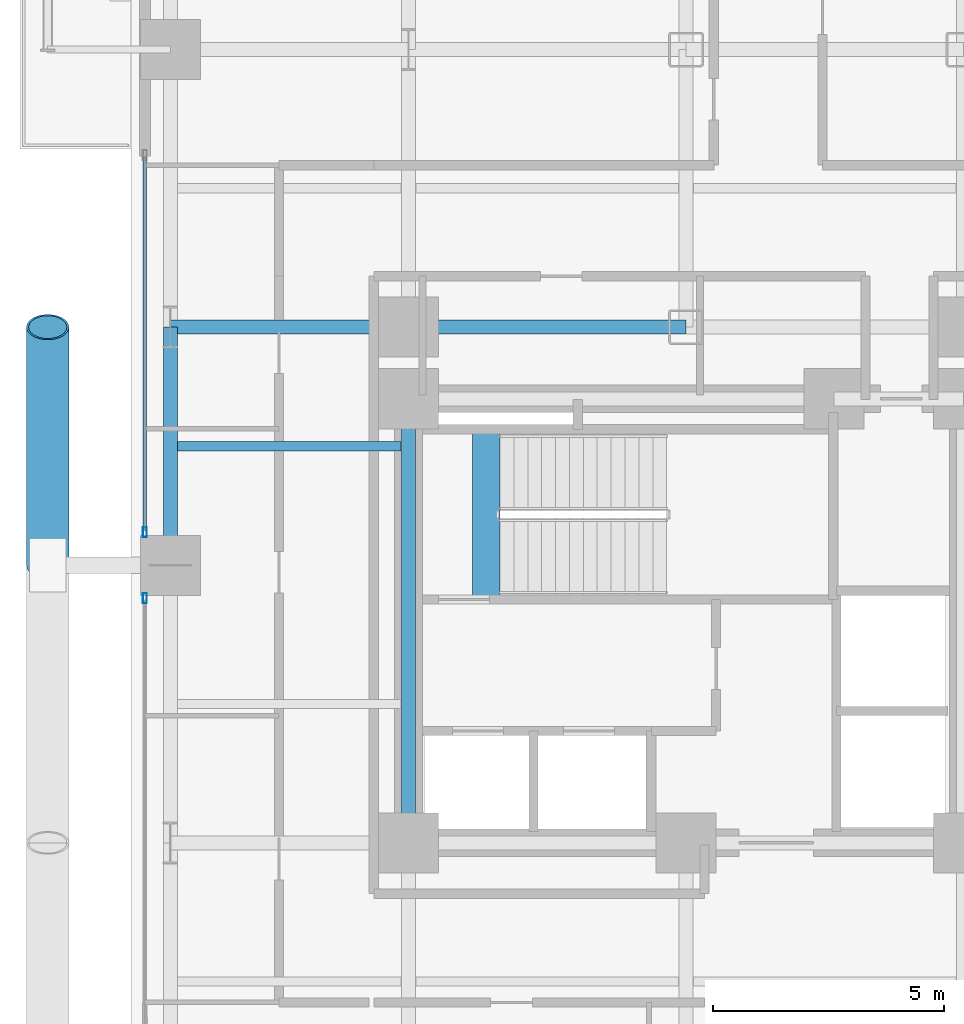
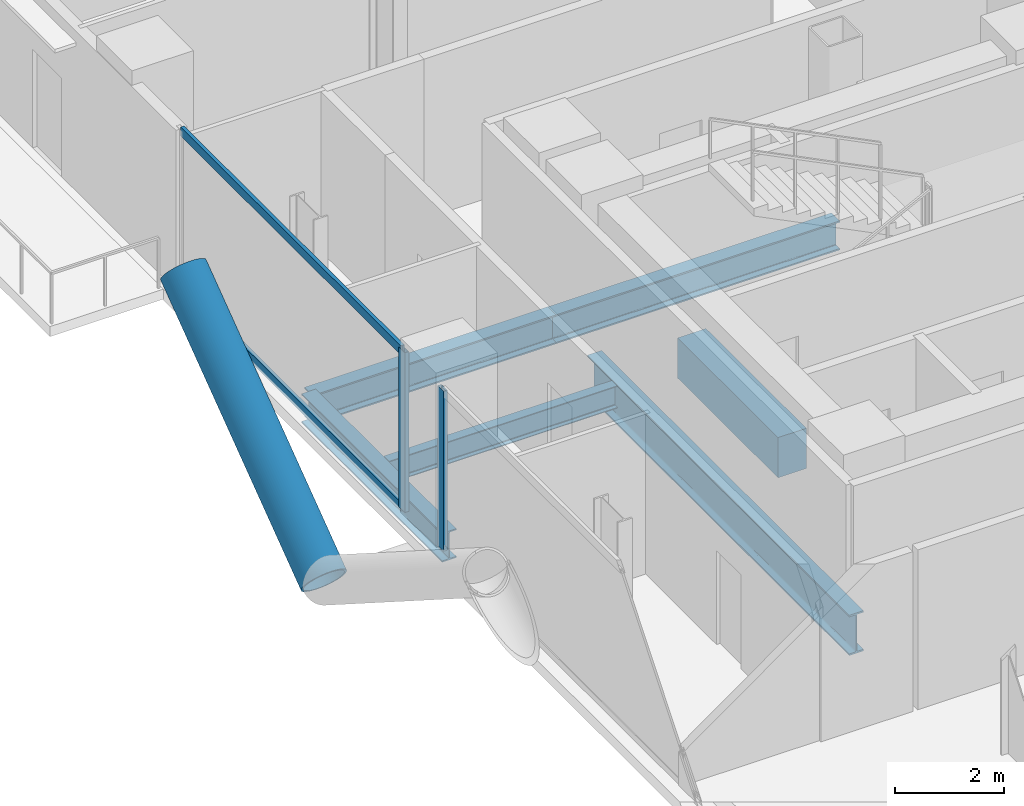
# One storey, part 5 of 27: 6 beams, 5 members, 2 elements without a shape of their own.
"""IFC4 building model written with IfcOpenShell, lengths in metres."""

from ifc_helpers import new_model, si_unit, direction, frame, origin, origin_2d, place, context, subcontext, project, spatial, rectangle, hollow_rectangle, hollow_circle, i_section, extrude, material, layer, layer_set, material_profile, profile_set, type_object, element, aggregate, save


model = new_model("IFC4")

# Units and contexts
model_context = context("Model", 3, precision=1e-05, world=origin(), true_north=direction((0.0, 1.0)))
body_context = subcontext(model_context, "Body", "Model", "MODEL_VIEW")
ifc_project = project(units=[si_unit("LENGTHUNIT", "METRE"), si_unit("AREAUNIT", "SQUARE_METRE"), si_unit("VOLUMEUNIT", "CUBIC_METRE"), si_unit("PLANEANGLEUNIT", "RADIAN"), si_unit("MASSUNIT", "GRAM", prefix="KILO"), si_unit("THERMODYNAMICTEMPERATUREUNIT", "KELVIN"), si_unit("POWERUNIT", "WATT")], contexts=[model_context])

# Site, building, storey
site_placement = place(None, origin())
site = spatial("IfcSite", under=ifc_project, at=site_placement, CompositionType="ELEMENT")
building_placement = place(site_placement, origin())
building = spatial("IfcBuilding", under=site, at=building_placement, Name="Svarakhadi Broadcast Tower", CompositionType="ELEMENT")
storey_placement = place(building_placement, frame((0.0, 0.0, 90.89990234375)))
storey = spatial("IfcBuildingStorey", under=building, at=storey_placement, Name="L21", CompositionType="ELEMENT", Elevation=90.89990234375)

# Beam
ifc_material_1 = material(Name="Steel S355J2 (IS 2062 E350C)", Category="steel")
ifc_material_profile_1 = material_profile(ifc_material_1, i_section(OverallWidth=0.199951171875, OverallDepth=0.5, WebThickness=0.01025390625, FlangeThickness=0.01611328125, FilletRadius=0.02099609375, at=origin_2d()), Name="NPB 500x200x91")
ifc_profile_set_1 = profile_set([ifc_material_profile_1], Name="Steel S355J2 (IS 2062 E350C)")
beam_type_1 = type_object("IfcBeamType", Name="Beam_NPB500", PredefinedType="BEAM", material=ifc_profile_set_1)
beam_1_placement = place(storey_placement, frame((1.010009765625, 26.574951171875, -0.5), z_axis=(1.0, 0.0, 0.0), x_axis=(0.0, 1.0, 0.0)))
element("IfcBeam", 1, at=beam_1_placement, inside=storey, type_object=beam_type_1, Name="L21 Secondary Composite Beam SB004", PredefinedType="BEAM", context=body_context, shape_type="SweptSolid", body=[
    extrude(i_section(OverallWidth=0.199951171875, OverallDepth=0.5, WebThickness=0.01025390625, FlangeThickness=0.01611328125, FilletRadius=0.02099609375, at=origin_2d()), origin(), (0.0, 0.0, 1.0), 4.830078125),
])

# Curtain wall, member
ifc_material_2 = material(Name="Anodised Bronze Aluminium AA 6063-T6", Category="aluminium")
ifc_layer = layer(ifc_material_2, 0.219970703125)
ifc_layer_set = layer_set([ifc_layer], Name="Anodised Bronze Aluminium AA 6063-T6")
curtain_wall_type = type_object("IfcCurtainWallType", Name="CW_Sys_02", PredefinedType="NOTDEFINED", material=ifc_layer_set)
curtain_wall_1_placement = place(storey_placement, origin())
curtain_wall_1 = element("IfcCurtainWall", 2, at=curtain_wall_1_placement, inside=storey, type_object=curtain_wall_type, Name="L21 West Curtain Wall 02 Bay 2", PredefinedType="NOTDEFINED")
ifc_material_profile_2 = material_profile(ifc_material_2, hollow_rectangle(XDim=0.0849609375, YDim=0.219970703125, WallThickness=0.006103515625, at=origin_2d()), Name="ALU MULLION 220x85x6")
ifc_profile_set_2 = profile_set([ifc_material_profile_2], Name="Anodised Bronze Aluminium AA 6063-T6")
member_type_1 = type_object("IfcMemberType", Name="CW_Sys_02_Mul", PredefinedType="MULLION", material=ifc_profile_set_2)
member_1_placement = place(storey_placement, frame((0.300048828125, 23.28759765625, 0.0), z_axis=(0.0, 0.0, 1.0), x_axis=(-1.0, 0.0, 0.0)))
member_1 = element("IfcMember", 3, at=member_1_placement, type_object=member_type_1, Name="CW-02 mullion 2", PredefinedType="MULLION", context=body_context, shape_type="SweptSolid", body=[
    extrude(hollow_rectangle(XDim=0.0849609375, YDim=0.219970703125, WallThickness=0.006103515625, at=origin_2d()), origin(), (0.0, 0.0, 1.0), 3.5751953125),
])
aggregate(curtain_wall_1, [member_1])

# Curtain wall, members
curtain_wall_2_placement = place(storey_placement, origin())
curtain_wall_2 = element("IfcCurtainWall", 4, at=curtain_wall_2_placement, inside=storey, type_object=curtain_wall_type, Name="L21 West Curtain Wall 02 Bay 3", PredefinedType="NOTDEFINED")
member_2_placement = place(storey_placement, frame((0.300048828125, 24.71240234375, 0.0), z_axis=(0.0, 0.0, 1.0), x_axis=(-1.0, 0.0, 0.0)))
member_2 = element("IfcMember", 5, at=member_2_placement, type_object=member_type_1, Name="CW-02 mullion 1", PredefinedType="MULLION", context=body_context, shape_type="SweptSolid", body=[
    extrude(hollow_rectangle(XDim=0.0849609375, YDim=0.219970703125, WallThickness=0.006103515625, at=origin_2d()), origin(), (0.0, 0.0, 1.0), 3.5751953125),
])
ifc_material_profile_3 = material_profile(ifc_material_2, hollow_rectangle(XDim=0.074951171875, YDim=0.199951171875, WallThickness=0.0048828125, at=origin_2d()), Name="ALU TRANSOM 200x75x5")
ifc_profile_set_3 = profile_set([ifc_material_profile_3], Name="Anodised Bronze Aluminium AA 6063-T6")
member_type_2 = type_object("IfcMemberType", Name="CW_Sys_02_Trn", PredefinedType="USERDEFINED", material=ifc_profile_set_3)
member_3_placement = place(storey_placement, frame((0.300048828125, 24.7548828125, 0.03759765625), z_axis=(0.0, 1.0, 0.0), x_axis=(-1.0, 0.0, 0.0)))
member_3 = element("IfcMember", 6, at=member_3_placement, type_object=member_type_2, Name="CW-02 transom 1.1", ObjectType="TRANSOM", PredefinedType="USERDEFINED", context=body_context, shape_type="SweptSolid", body=[
    extrude(hollow_rectangle(XDim=0.074951171875, YDim=0.199951171875, WallThickness=0.0048828125, at=origin_2d()), origin(), (0.0, 0.0, 1.0), 8.070068359375),
])
member_4_placement = place(storey_placement, frame((0.300048828125, 24.7548828125, 3.53759765625), z_axis=(0.0, 1.0, 0.0), x_axis=(-1.0, 0.0, 0.0)))
member_4 = element("IfcMember", 7, at=member_4_placement, type_object=member_type_2, Name="CW-02 transom 1.2", ObjectType="TRANSOM", PredefinedType="USERDEFINED", context=body_context, shape_type="SweptSolid", body=[
    extrude(hollow_rectangle(XDim=0.074951171875, YDim=0.199951171875, WallThickness=0.0048828125, at=origin_2d()), origin(), (0.0, 0.0, 1.0), 8.070068359375),
])
aggregate(curtain_wall_2, [member_2, member_3, member_4])

# Beam
ifc_material_3 = material(Name="Concrete C50/60 (IS 456 M60)", Category="concrete")
ifc_material_profile_4 = material_profile(ifc_material_3, rectangle(XDim=0.60009765625, YDim=0.89990234375, at=origin_2d()), Name="RC 600x900")
ifc_profile_set_4 = profile_set([ifc_material_profile_4], Name="Concrete C50/60 (IS 456 M60)")
beam_type_2 = type_object("IfcBeamType", Name="Coupling_RC600", PredefinedType="USERDEFINED", material=ifc_profile_set_4)
beam_2_placement = place(storey_placement, frame((7.679931640625, 23.260009765625, -0.449951171875), z_axis=(0.0, 1.0, 0.0), x_axis=(-1.0, 0.0, 0.0)))
element("IfcBeam", 8, at=beam_2_placement, inside=storey, type_object=beam_type_2, Name="L21 Stair ST-01 Landing Throat Trimmer Beam CB-01", ObjectType="GIRDER", PredefinedType="USERDEFINED", context=body_context, shape_type="SweptSolid", body=[
    extrude(rectangle(XDim=0.60009765625, YDim=0.89990234375, at=origin_2d()), origin(), (0.0, 0.0, 1.0), 3.679931640625),
])

# Member
ifc_material_4 = material(Name="Steel S460ML (IS 2062 E450BR)", Category="steel")
ifc_material_profile_5 = material_profile(ifc_material_4, hollow_circle(Radius=0.45703125, WallThickness=0.044921875, at=origin_2d()), Name="CHS 914x45")
ifc_profile_set_5 = profile_set([ifc_material_profile_5], Name="Steel S460ML (IS 2062 E450BR)")
member_type_3 = type_object("IfcMemberType", Name="Exo_Brace_CHS914", PredefinedType="BRACE", material=ifc_profile_set_5)
member_5_placement = place(storey_placement, frame((-1.800048828125, 24.0, -0.427734375), z_axis=(0.0, 0.802795376405, 0.596254629854), x_axis=(-1.0, 0.0, 0.0)))
element("IfcMember", 9, at=member_5_placement, inside=storey, type_object=member_type_3, Name="L21 Exposed Bronze Exoskeleton Diagonal W09", PredefinedType="BRACE", context=body_context, shape_type="SweptSolid", body=[
    extrude(hollow_circle(Radius=0.45703125, WallThickness=0.044921875, at=origin_2d()), origin(), (0.0, 0.0, 1.0), 6.4150390625),
])

# Beams
ifc_material_profile_6 = material_profile(ifc_material_1, i_section(OverallWidth=0.300048828125, OverallDepth=0.64990234375, WebThickness=0.01611328125, FlangeThickness=0.031005859375, FilletRadius=0.027099609375, at=origin_2d()), Name="WPB 650x300x225")
ifc_profile_set_6 = profile_set([ifc_material_profile_6], Name="Steel S355J2 (IS 2062 E350C)")
beam_type_3 = type_object("IfcBeamType", Name="Girder_WPB650", PredefinedType="USERDEFINED", material=ifc_profile_set_6)
beam_3_placement = place(storey_placement, frame((0.85009765625, 29.14990234375, -0.574951171875), z_axis=(1.0, 0.0, 0.0), x_axis=(0.0, 1.0, 0.0)))
element("IfcBeam", 10, at=beam_3_placement, inside=storey, type_object=beam_type_3, Name="L21 Primary E-W Girder G034", ObjectType="GIRDER", PredefinedType="USERDEFINED", context=body_context, shape_type="SweptSolid", body=[
    extrude(i_section(OverallWidth=0.300048828125, OverallDepth=0.64990234375, WebThickness=0.01611328125, FlangeThickness=0.031005859375, FilletRadius=0.027099609375, at=origin_2d()), origin(), (0.0, 0.0, 1.0), 5.14990234375),
])
beam_4_placement = place(storey_placement, frame((6.0, 29.14990234375, -0.574951171875), z_axis=(1.0, 0.0, 0.0), x_axis=(0.0, 1.0, 0.0)))
element("IfcBeam", 11, at=beam_4_placement, inside=storey, type_object=beam_type_3, Name="L21 Primary E-W Girder G035", ObjectType="GIRDER", PredefinedType="USERDEFINED", context=body_context, shape_type="SweptSolid", body=[
    extrude(i_section(OverallWidth=0.300048828125, OverallDepth=0.64990234375, WebThickness=0.01611328125, FlangeThickness=0.031005859375, FilletRadius=0.027099609375, at=origin_2d()), origin(), (0.0, 0.0, 1.0), 6.0),
])
beam_5_placement = place(storey_placement, frame((0.85009765625, 24.0, -0.574951171875), z_axis=(0.0, 1.0, 0.0), x_axis=(-1.0, 0.0, 0.0)))
element("IfcBeam", 12, at=beam_5_placement, inside=storey, type_object=beam_type_3, Name="L21 Primary N-S Girder G048", ObjectType="GIRDER", PredefinedType="USERDEFINED", context=body_context, shape_type="SweptSolid", body=[
    extrude(i_section(OverallWidth=0.300048828125, OverallDepth=0.64990234375, WebThickness=0.01611328125, FlangeThickness=0.031005859375, FilletRadius=0.027099609375, at=origin_2d()), origin(), (0.0, 0.0, 1.0), 5.14990234375),
])
ifc_material_profile_7 = material_profile(ifc_material_4, i_section(OverallWidth=0.300048828125, OverallDepth=0.89990234375, WebThickness=0.0185546875, FlangeThickness=0.034912109375, FilletRadius=0.030029296875, at=origin_2d()), Name="WPB 900x300x291")
ifc_profile_set_7 = profile_set([ifc_material_profile_7], Name="Steel S460ML (IS 2062 E450BR)")
beam_type_4 = type_object("IfcBeamType", Name="Girder_WPB900", PredefinedType="USERDEFINED", material=ifc_profile_set_7)
beam_6_placement = place(storey_placement, frame((6.0, 18.0, -0.699951171875), z_axis=(0.0, 1.0, 0.0), x_axis=(-1.0, 0.0, 0.0)))
element("IfcBeam", 13, at=beam_6_placement, inside=storey, type_object=beam_type_4, Name="L21 Primary N-S Girder G054", ObjectType="GIRDER", PredefinedType="USERDEFINED", context=body_context, shape_type="SweptSolid", body=[
    extrude(i_section(OverallWidth=0.300048828125, OverallDepth=0.89990234375, WebThickness=0.0185546875, FlangeThickness=0.034912109375, FilletRadius=0.030029296875, at=origin_2d()), origin(), (0.0, 0.0, 1.0), 9.60009765625),
])

save(model, "model.ifc")
